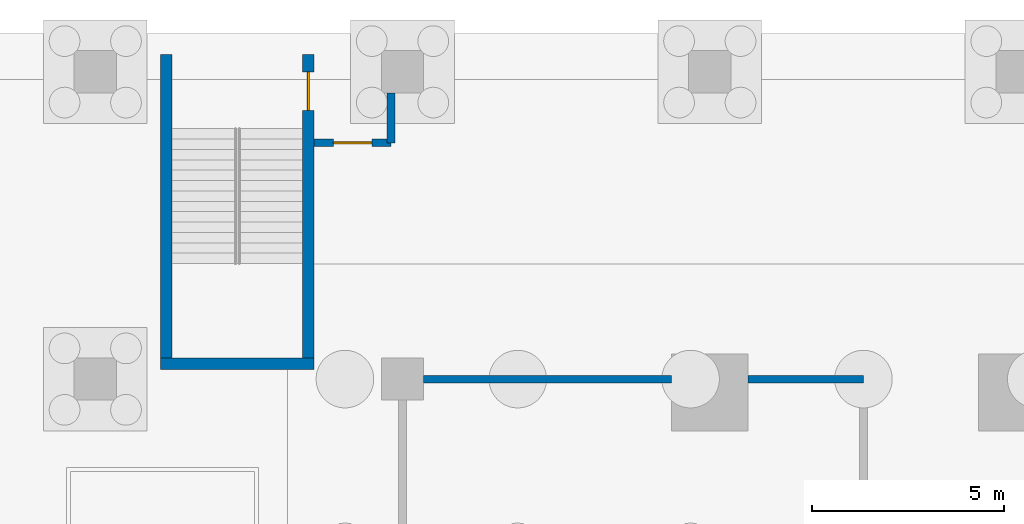
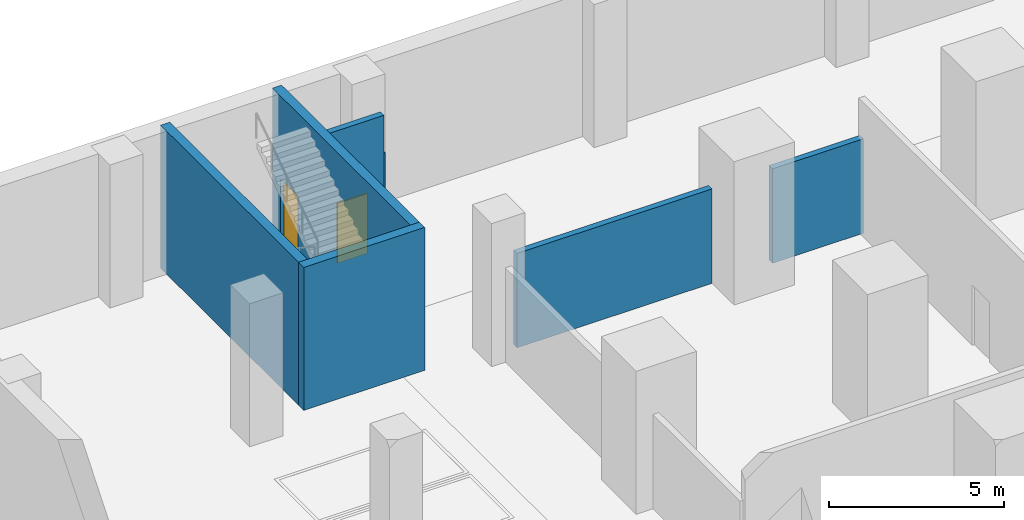
# One storey, part 10 of 17: 7 walls, 2 doors, 2 openings.
"""IFC4 building model written with IfcOpenShell, lengths in metres."""

from ifc_helpers import new_model, si_unit, direction, frame, frame_2d, origin, place, context, subcontext, project, spatial, rectangle, extrude, material, layer, layer_set, type_object, element, fill, save


model = new_model("IFC4")

# Units and contexts
model_context = context("Model", 3, precision=1e-05, world=origin(), true_north=direction((0.0, 1.0)))
body_context = subcontext(model_context, "Body", "Model", "MODEL_VIEW")
ifc_project = project(units=[si_unit("LENGTHUNIT", "METRE"), si_unit("AREAUNIT", "SQUARE_METRE"), si_unit("VOLUMEUNIT", "CUBIC_METRE"), si_unit("PLANEANGLEUNIT", "RADIAN"), si_unit("MASSUNIT", "GRAM", prefix="KILO")], contexts=[model_context])

# Site, building, storey
site_placement = place(None, origin())
site = spatial("IfcSite", under=ifc_project, at=site_placement, CompositionType="ELEMENT")
building_placement = place(site_placement, origin())
building = spatial("IfcBuilding", under=site, at=building_placement, Name="Cleftline Residences", CompositionType="ELEMENT")
storey_placement = place(building_placement, frame((0.0, 0.0, -5.0)))
storey = spatial("IfcBuildingStorey", under=building, at=storey_placement, Name="L-01", CompositionType="ELEMENT", Elevation=-5.0)

# Walls
ifc_material_1 = material(Name="Concrete blockwork, fire rated", Category="masonry")
ifc_layer_1 = layer(ifc_material_1, 0.199951171875)
ifc_layer_set_1 = layer_set([ifc_layer_1], Name="FIRE WALL 200")
wall_type_1 = type_object("IfcWallType", Name="FIRE WALL 200", PredefinedType="PARTITIONING", material=ifc_layer_set_1)
wall_1_placement = place(storey_placement, frame((0.550048828125, 48.0, 0.0), z_axis=(0.0, 0.0, 1.0), x_axis=(1.0, 0.0, 0.0)))
element("IfcWall", 1, at=wall_1_placement, inside=storey, type_object=wall_type_1, Name="Fire separating wall", PredefinedType="PARTITIONING", context=body_context, shape_type="SweptSolid", body=[
    extrude(rectangle(XDim=6.449951171875, YDim=0.199951171875, at=frame_2d((3.22509765625, 0.0))), origin(), (0.0, 0.0, 1.0), 3.300048828125),
])
wall_2_placement = place(storey_placement, frame((9.0, 48.0, 0.0), z_axis=(0.0, 0.0, 1.0), x_axis=(1.0, 0.0, 0.0)))
element("IfcWall", 2, at=wall_2_placement, inside=storey, type_object=wall_type_1, Name="Fire separating wall", PredefinedType="PARTITIONING", context=body_context, shape_type="SweptSolid", body=[
    extrude(rectangle(XDim=3.0, YDim=0.199951171875, at=frame_2d((1.5, 0.0))), origin(), (0.0, 0.0, 1.0), 3.300048828125),
])

# Wall, opening, door
wall_3_placement = place(storey_placement, frame((-2.300048828125, 54.14990234375, 0.0), z_axis=(0.0, 0.0, 1.0), x_axis=(1.0, 0.0, 0.0)))
wall_3 = element("IfcWall", 3, at=wall_3_placement, inside=storey, type_object=wall_type_1, Name="Fire separating wall", PredefinedType="PARTITIONING", context=body_context, shape_type="SweptSolid", body=[
    extrude(rectangle(XDim=2.0, YDim=0.199951171875, at=frame_2d((1.0, 0.0))), origin(), (0.0, 0.0, 1.0), 4.699951171875),
])
opening_1_placement = place(wall_3_placement, frame((0.5, 0.0, 0.0)))
opening_1 = element("IfcOpeningElement", 4, at=opening_1_placement, cuts=wall_3, Name="Opening D2F60", PredefinedType="OPENING", context=body_context, shape_type="SweptSolid", body=[
    extrude(rectangle(XDim=1.0, YDim=2.10009765625, at=frame_2d((0.5, 1.050048828125))), frame((0.0, 0.10986328125, 0.0), z_axis=(0.0, -1.0, 0.0), x_axis=(1.0, 0.0, 0.0)), (0.0, 0.0, 1.0), 0.219970703125),
])
ifc_material_2 = material(Name="Timber veneer on solid core", Category="wood")
door_type_1 = type_object("IfcDoorType", Name="DOOR 1000X2100 EI 60", OperationType="SINGLE_SWING_LEFT", PredefinedType="DOOR", material=ifc_material_2)
door_1_placement = place(opening_1_placement, origin())
door_1 = element("IfcDoor", 5, at=door_1_placement, inside=storey, type_object=door_type_1, Name="Door to stair ps-w lobby", OperationType="SINGLE_SWING_LEFT", OverallHeight=2.10009765625, OverallWidth=1.0, PredefinedType="DOOR", context=body_context, shape_type="SweptSolid", body=[
    extrude(rectangle(XDim=1.0, YDim=2.10009765625, at=frame_2d((0.5, 1.050048828125))), frame((0.0, 0.02490234375, 0.0), z_axis=(0.0, -1.0, 0.0), x_axis=(1.0, 0.0, 0.0)), (0.0, 0.0, 1.0), 0.050048828125),
])
fill(opening_1, door_1)

# Walls
wall_4_placement = place(storey_placement, frame((-0.300048828125, 54.14990234375, 0.0), z_axis=(0.0, 0.0, 1.0), x_axis=(0.0, 1.0, 0.0)))
element("IfcWall", 6, at=wall_4_placement, inside=storey, type_object=wall_type_1, Name="Fire separating wall", PredefinedType="PARTITIONING", context=body_context, shape_type="SweptSolid", body=[
    extrude(rectangle(XDim=1.300048828125, YDim=0.199951171875, at=frame_2d((0.64990234375, 0.0))), origin(), (0.0, 0.0, 1.0), 3.300048828125),
])
ifc_material_3 = material(Name="Concrete blockwork, fire rated", Category="masonry")
ifc_layer_2 = layer(ifc_material_3, 0.300048828125)
ifc_layer_set_2 = layer_set([ifc_layer_2], Name="STAIR ENCLOSURE WALL 300")
wall_type_2 = type_object("IfcWallType", Name="STAIR ENCLOSURE WALL 300", PredefinedType="PARTITIONING", material=ifc_layer_set_2)
wall_5_placement = place(storey_placement, frame((-6.300048828125, 48.39990234375, 0.0), z_axis=(0.0, 0.0, 1.0), x_axis=(1.0, 0.0, 0.0)))
element("IfcWall", 7, at=wall_5_placement, inside=storey, type_object=wall_type_2, Name="Stair PS-W enclosure", PredefinedType="PARTITIONING", context=body_context, shape_type="SweptSolid", body=[
    extrude(rectangle(XDim=4.0, YDim=0.300048828125, at=frame_2d((2.0, 0.0))), origin(), (0.0, 0.0, 1.0), 5.0),
])
wall_6_placement = place(storey_placement, frame((-6.14990234375, 48.550048828125, 0.0), z_axis=(0.0, 0.0, 1.0), x_axis=(0.0, 1.0, 0.0)))
element("IfcWall", 8, at=wall_6_placement, inside=storey, type_object=wall_type_2, Name="Stair PS-W enclosure", PredefinedType="PARTITIONING", context=body_context, shape_type="SweptSolid", body=[
    extrude(rectangle(XDim=7.89990234375, YDim=0.300048828125, at=frame_2d((3.949951171875, 0.0))), origin(), (0.0, 0.0, 1.0), 5.0),
])

# Wall, opening, door
wall_7_placement = place(storey_placement, frame((-2.449951171875, 48.550048828125, 0.0), z_axis=(0.0, 0.0, 1.0), x_axis=(0.0, 1.0, 0.0)))
wall_7 = element("IfcWall", 9, at=wall_7_placement, inside=storey, type_object=wall_type_2, Name="Stair PS-W enclosure", PredefinedType="PARTITIONING", context=body_context, shape_type="SweptSolid", body=[
    extrude(rectangle(XDim=7.89990234375, YDim=0.300048828125, at=frame_2d((3.949951171875, 0.0))), origin(), (0.0, 0.0, 1.0), 5.0),
])
opening_2_placement = place(wall_7_placement, frame((6.449951171875, 0.0, 0.0)))
opening_2 = element("IfcOpeningElement", 10, at=opening_2_placement, cuts=wall_7, Name="Opening D5", PredefinedType="OPENING", context=body_context, shape_type="SweptSolid", body=[
    extrude(rectangle(XDim=1.0, YDim=2.10009765625, at=frame_2d((0.5, 1.050048828125))), frame((0.0, 0.159912109375, 0.0), z_axis=(0.0, -1.0, 0.0), x_axis=(1.0, 0.0, 0.0)), (0.0, 0.0, 1.0), 0.320068359375),
])
ifc_material_4 = material(Name="Steel", Category="steel")
door_type_2 = type_object("IfcDoorType", Name="STAIR DOOR 1000X2100", OperationType="SINGLE_SWING_LEFT", PredefinedType="DOOR", material=ifc_material_4)
door_2_placement = place(opening_2_placement, origin())
door_2 = element("IfcDoor", 11, at=door_2_placement, inside=storey, type_object=door_type_2, Name="Stair PS-W door", OperationType="SINGLE_SWING_LEFT", OverallHeight=2.10009765625, OverallWidth=1.0, PredefinedType="DOOR", context=body_context, shape_type="SweptSolid", body=[
    extrude(rectangle(XDim=1.0, YDim=2.10009765625, at=frame_2d((0.5, 1.050048828125))), frame((0.0, 0.02490234375, 0.0), z_axis=(0.0, -1.0, 0.0), x_axis=(1.0, 0.0, 0.0)), (0.0, 0.0, 1.0), 0.050048828125),
])
fill(opening_2, door_2)

save(model, "model.ifc")
